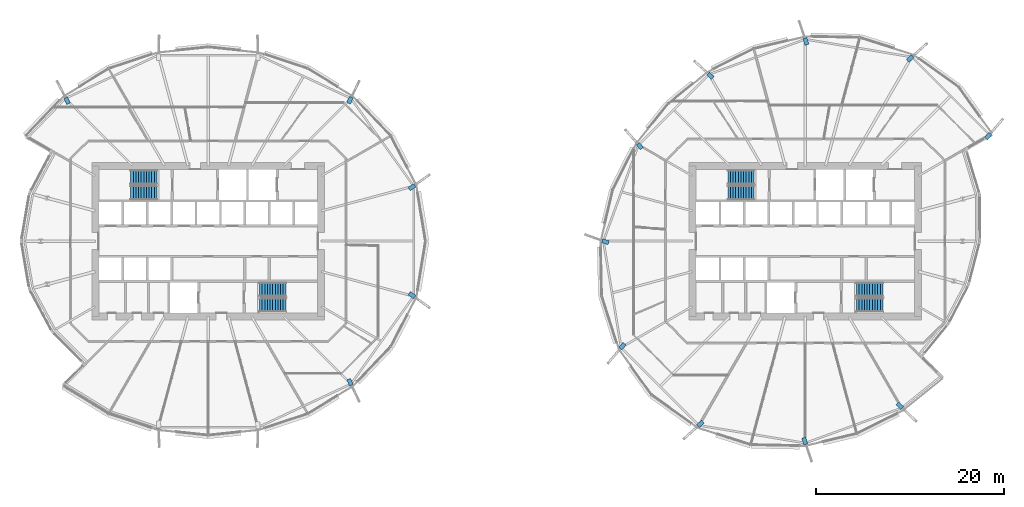
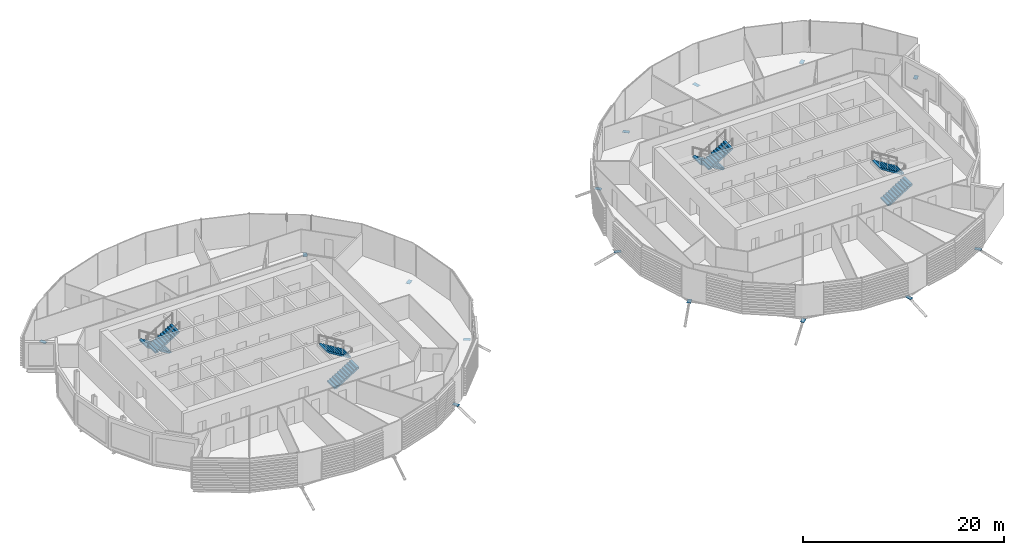
# One storey, part 26 of 38: 15 discrete accessories, 8 stair flights, 4 elements without a shape of their own.
"""IFC4 building model written with IfcOpenShell, lengths in metres."""

from ifc_helpers import new_model, si_unit, direction, frame, origin, origin_2d, place, context, subcontext, project, spatial, polyline, rectangle, outline, extrude, material, material_profile, profile_set, type_object, element, aggregate, save


model = new_model("IFC4")

# Units and contexts
model_context = context("Model", 3, precision=1e-05, world=origin(), true_north=direction((0.0, 1.0)))
body_context = subcontext(model_context, "Body", "Model", "MODEL_VIEW")
ifc_project = project(units=[si_unit("LENGTHUNIT", "METRE"), si_unit("AREAUNIT", "SQUARE_METRE"), si_unit("VOLUMEUNIT", "CUBIC_METRE"), si_unit("PLANEANGLEUNIT", "RADIAN"), si_unit("MASSUNIT", "GRAM", prefix="KILO")], contexts=[model_context])

# Site, building, storey
site_placement = place(None, origin())
site = spatial("IfcSite", under=ifc_project, at=site_placement, CompositionType="ELEMENT")
building_placement = place(site_placement, origin())
building = spatial("IfcBuilding", under=site, at=building_placement, Name="Rimbun Link Towers", CompositionType="ELEMENT")
storey_placement = place(building_placement, frame((0.0, 0.0, 119.60009765625)))
storey = spatial("IfcBuildingStorey", under=building, at=storey_placement, Name="L29", CompositionType="ELEMENT", Elevation=119.60009765625)

# Stair, stair flights
ifc_material_1 = material(Name="Concrete C40/50", Category="concrete")
stair_type = type_object("IfcStairType", Name="Exit stair 3800 rise", PredefinedType="HALF_TURN_STAIR", material=ifc_material_1)
stair_1_placement = place(storey_placement, origin())
stair_1 = element("IfcStair", 1, at=stair_1_placement, inside=storey, type_object=stair_type, Name="L29 EXIT STAIR A", PredefinedType="HALF_TURN_STAIR")
ifc_material_2 = material(Name="Concrete C40/50", Category="concrete")
stair_flight_type = type_object("IfcStairFlightType", Name="Exit stair flight 3800 rise", PredefinedType="STRAIGHT", material=ifc_material_2)
stair_flight_1_placement = place(storey_placement, frame((-37.199951171875, 6.800048828125, 0.0), z_axis=(0.0, 0.0, 1.0), x_axis=(-1.0, 0.0, 0.0)))
stair_flight_1 = element("IfcStairFlight", 2, at=stair_flight_1_placement, type_object=stair_flight_type, Name="ST1 flight 1", NumberOfRisers=11, NumberOfTreads=10, PredefinedType="STRAIGHT", RiserHeight=0.172727273, TreadLength=0.28, context=body_context, shape_type="SweptSolid", body=[
    extrude(outline(polyline([(0.0, 0.0), (0.0, 0.172607421875), (0.280029296875, 0.172607421875), (0.280029296875, 0.345458984375), (0.56005859375, 0.345458984375), (0.56005859375, 0.51806640625), (0.840087890625, 0.51806640625), (0.840087890625, 0.69091796875), (1.1201171875, 0.69091796875), (1.1201171875, 0.863525390625), (1.39990234375, 0.863525390625), (1.39990234375, 1.036376953125), (1.679931640625, 1.036376953125), (1.679931640625, 1.208984375), (1.9599609375, 1.208984375), (1.9599609375, 1.3818359375), (2.239990234375, 1.3818359375), (2.239990234375, 1.554443359375), (2.52001953125, 1.554443359375), (2.52001953125, 1.727294921875), (2.800048828125, 1.727294921875), (2.800048828125, 1.89990234375), (2.800048828125, 1.551025390625), (0.280029296875, 0.0), (0.0, 0.0)])), frame((0.0, 0.75, 0.0), z_axis=(0.0, -1.0, 0.0), x_axis=(1.0, 0.0, 0.0)), (0.0, 0.0, 1.0), 1.5),
])
stair_flight_2_placement = place(storey_placement, frame((-40.0, 5.14990234375, 1.89990234375), z_axis=(0.0, 0.0, 1.0), x_axis=(1.0, 0.0, 0.0)))
stair_flight_2 = element("IfcStairFlight", 3, at=stair_flight_2_placement, type_object=stair_flight_type, Name="ST1 flight 2", NumberOfRisers=11, NumberOfTreads=10, PredefinedType="STRAIGHT", RiserHeight=0.172727273, TreadLength=0.28, context=body_context, shape_type="SweptSolid", body=[
    extrude(outline(polyline([(0.0, 0.0), (0.0, 0.172607421875), (0.280029296875, 0.172607421875), (0.280029296875, 0.345458984375), (0.56005859375, 0.345458984375), (0.56005859375, 0.51806640625), (0.840087890625, 0.51806640625), (0.840087890625, 0.69091796875), (1.1201171875, 0.69091796875), (1.1201171875, 0.863525390625), (1.39990234375, 0.863525390625), (1.39990234375, 1.036376953125), (1.679931640625, 1.036376953125), (1.679931640625, 1.208984375), (1.9599609375, 1.208984375), (1.9599609375, 1.3818359375), (2.239990234375, 1.3818359375), (2.239990234375, 1.554443359375), (2.52001953125, 1.554443359375), (2.52001953125, 1.727294921875), (2.800048828125, 1.727294921875), (2.800048828125, 1.89990234375), (2.800048828125, 1.551025390625), (0.280029296875, 0.0), (0.0, 0.0)])), frame((0.0, 0.75, 0.0), z_axis=(0.0, -1.0, 0.0), x_axis=(1.0, 0.0, 0.0)), (0.0, 0.0, 1.0), 1.5),
])
aggregate(stair_1, [stair_flight_1, stair_flight_2])

stair_2_placement = place(storey_placement, origin())
stair_2 = element("IfcStair", 4, at=stair_2_placement, inside=storey, type_object=stair_type, Name="L29 EXIT STAIR B", PredefinedType="HALF_TURN_STAIR")
stair_flight_3_placement = place(storey_placement, frame((-26.300048828125, -6.800048828125, 0.0), z_axis=(0.0, 0.0, 1.0), x_axis=(1.0, 0.0, 0.0)))
stair_flight_3 = element("IfcStairFlight", 5, at=stair_flight_3_placement, type_object=stair_flight_type, Name="ST2 flight 1", NumberOfRisers=11, NumberOfTreads=10, PredefinedType="STRAIGHT", RiserHeight=0.172727273, TreadLength=0.28, context=body_context, shape_type="SweptSolid", body=[
    extrude(outline(polyline([(0.0, 0.0), (0.0, 0.172607421875), (0.280029296875, 0.172607421875), (0.280029296875, 0.345458984375), (0.56005859375, 0.345458984375), (0.56005859375, 0.51806640625), (0.840087890625, 0.51806640625), (0.840087890625, 0.69091796875), (1.1201171875, 0.69091796875), (1.1201171875, 0.863525390625), (1.39990234375, 0.863525390625), (1.39990234375, 1.036376953125), (1.679931640625, 1.036376953125), (1.679931640625, 1.208984375), (1.9599609375, 1.208984375), (1.9599609375, 1.3818359375), (2.239990234375, 1.3818359375), (2.239990234375, 1.554443359375), (2.52001953125, 1.554443359375), (2.52001953125, 1.727294921875), (2.800048828125, 1.727294921875), (2.800048828125, 1.89990234375), (2.800048828125, 1.551025390625), (0.280029296875, 0.0), (0.0, 0.0)])), frame((0.0, 0.75, 0.0), z_axis=(0.0, -1.0, 0.0), x_axis=(1.0, 0.0, 0.0)), (0.0, 0.0, 1.0), 1.5),
])
stair_flight_4_placement = place(storey_placement, frame((-23.5, -5.14990234375, 1.89990234375), z_axis=(0.0, 0.0, 1.0), x_axis=(-1.0, 0.0, 0.0)))
stair_flight_4 = element("IfcStairFlight", 6, at=stair_flight_4_placement, type_object=stair_flight_type, Name="ST2 flight 2", NumberOfRisers=11, NumberOfTreads=10, PredefinedType="STRAIGHT", RiserHeight=0.172727273, TreadLength=0.28, context=body_context, shape_type="SweptSolid", body=[
    extrude(outline(polyline([(0.0, 0.0), (0.0, 0.172607421875), (0.280029296875, 0.172607421875), (0.280029296875, 0.345458984375), (0.56005859375, 0.345458984375), (0.56005859375, 0.51806640625), (0.840087890625, 0.51806640625), (0.840087890625, 0.69091796875), (1.1201171875, 0.69091796875), (1.1201171875, 0.863525390625), (1.39990234375, 0.863525390625), (1.39990234375, 1.036376953125), (1.679931640625, 1.036376953125), (1.679931640625, 1.208984375), (1.9599609375, 1.208984375), (1.9599609375, 1.3818359375), (2.239990234375, 1.3818359375), (2.239990234375, 1.554443359375), (2.52001953125, 1.554443359375), (2.52001953125, 1.727294921875), (2.800048828125, 1.727294921875), (2.800048828125, 1.89990234375), (2.800048828125, 1.551025390625), (0.280029296875, 0.0), (0.0, 0.0)])), frame((0.0, 0.75, 0.0), z_axis=(0.0, -1.0, 0.0), x_axis=(1.0, 0.0, 0.0)), (0.0, 0.0, 1.0), 1.5),
])
aggregate(stair_2, [stair_flight_3, stair_flight_4])

stair_3_placement = place(storey_placement, origin())
stair_3 = element("IfcStair", 7, at=stair_3_placement, inside=storey, type_object=stair_type, Name="L29 EXIT STAIR A", PredefinedType="HALF_TURN_STAIR")
stair_flight_5_placement = place(storey_placement, frame((26.300048828125, 6.800048828125, 0.0), z_axis=(0.0, 0.0, 1.0), x_axis=(-1.0, 0.0, 0.0)))
stair_flight_5 = element("IfcStairFlight", 8, at=stair_flight_5_placement, type_object=stair_flight_type, Name="ST3 flight 1", NumberOfRisers=11, NumberOfTreads=10, PredefinedType="STRAIGHT", RiserHeight=0.172727273, TreadLength=0.28, context=body_context, shape_type="SweptSolid", body=[
    extrude(outline(polyline([(0.0, 0.0), (0.0, 0.172607421875), (0.280029296875, 0.172607421875), (0.280029296875, 0.345458984375), (0.56005859375, 0.345458984375), (0.56005859375, 0.51806640625), (0.840087890625, 0.51806640625), (0.840087890625, 0.69091796875), (1.1201171875, 0.69091796875), (1.1201171875, 0.863525390625), (1.39990234375, 0.863525390625), (1.39990234375, 1.036376953125), (1.679931640625, 1.036376953125), (1.679931640625, 1.208984375), (1.9599609375, 1.208984375), (1.9599609375, 1.3818359375), (2.239990234375, 1.3818359375), (2.239990234375, 1.554443359375), (2.52001953125, 1.554443359375), (2.52001953125, 1.727294921875), (2.800048828125, 1.727294921875), (2.800048828125, 1.89990234375), (2.800048828125, 1.551025390625), (0.280029296875, 0.0), (0.0, 0.0)])), frame((0.0, 0.75, 0.0), z_axis=(0.0, -1.0, 0.0), x_axis=(1.0, 0.0, 0.0)), (0.0, 0.0, 1.0), 1.5),
])
stair_flight_6_placement = place(storey_placement, frame((23.5, 5.14990234375, 1.89990234375), z_axis=(0.0, 0.0, 1.0), x_axis=(1.0, 0.0, 0.0)))
stair_flight_6 = element("IfcStairFlight", 9, at=stair_flight_6_placement, type_object=stair_flight_type, Name="ST3 flight 2", NumberOfRisers=11, NumberOfTreads=10, PredefinedType="STRAIGHT", RiserHeight=0.172727273, TreadLength=0.28, context=body_context, shape_type="SweptSolid", body=[
    extrude(outline(polyline([(0.0, 0.0), (0.0, 0.172607421875), (0.280029296875, 0.172607421875), (0.280029296875, 0.345458984375), (0.56005859375, 0.345458984375), (0.56005859375, 0.51806640625), (0.840087890625, 0.51806640625), (0.840087890625, 0.69091796875), (1.1201171875, 0.69091796875), (1.1201171875, 0.863525390625), (1.39990234375, 0.863525390625), (1.39990234375, 1.036376953125), (1.679931640625, 1.036376953125), (1.679931640625, 1.208984375), (1.9599609375, 1.208984375), (1.9599609375, 1.3818359375), (2.239990234375, 1.3818359375), (2.239990234375, 1.554443359375), (2.52001953125, 1.554443359375), (2.52001953125, 1.727294921875), (2.800048828125, 1.727294921875), (2.800048828125, 1.89990234375), (2.800048828125, 1.551025390625), (0.280029296875, 0.0), (0.0, 0.0)])), frame((0.0, 0.75, 0.0), z_axis=(0.0, -1.0, 0.0), x_axis=(1.0, 0.0, 0.0)), (0.0, 0.0, 1.0), 1.5),
])
aggregate(stair_3, [stair_flight_5, stair_flight_6])

stair_4_placement = place(storey_placement, origin())
stair_4 = element("IfcStair", 10, at=stair_4_placement, inside=storey, type_object=stair_type, Name="L29 EXIT STAIR B", PredefinedType="HALF_TURN_STAIR")
stair_flight_7_placement = place(storey_placement, frame((37.199951171875, -6.800048828125, 0.0), z_axis=(0.0, 0.0, 1.0), x_axis=(1.0, 0.0, 0.0)))
stair_flight_7 = element("IfcStairFlight", 11, at=stair_flight_7_placement, type_object=stair_flight_type, Name="ST4 flight 1", NumberOfRisers=11, NumberOfTreads=10, PredefinedType="STRAIGHT", RiserHeight=0.172727273, TreadLength=0.28, context=body_context, shape_type="SweptSolid", body=[
    extrude(outline(polyline([(0.0, 0.0), (0.0, 0.172607421875), (0.280029296875, 0.172607421875), (0.280029296875, 0.345458984375), (0.56005859375, 0.345458984375), (0.56005859375, 0.51806640625), (0.840087890625, 0.51806640625), (0.840087890625, 0.69091796875), (1.1201171875, 0.69091796875), (1.1201171875, 0.863525390625), (1.39990234375, 0.863525390625), (1.39990234375, 1.036376953125), (1.679931640625, 1.036376953125), (1.679931640625, 1.208984375), (1.9599609375, 1.208984375), (1.9599609375, 1.3818359375), (2.239990234375, 1.3818359375), (2.239990234375, 1.554443359375), (2.52001953125, 1.554443359375), (2.52001953125, 1.727294921875), (2.800048828125, 1.727294921875), (2.800048828125, 1.89990234375), (2.800048828125, 1.551025390625), (0.280029296875, 0.0), (0.0, 0.0)])), frame((0.0, 0.75, 0.0), z_axis=(0.0, -1.0, 0.0), x_axis=(1.0, 0.0, 0.0)), (0.0, 0.0, 1.0), 1.5),
])
stair_flight_8_placement = place(storey_placement, frame((40.0, -5.14990234375, 1.89990234375), z_axis=(0.0, 0.0, 1.0), x_axis=(-1.0, 0.0, 0.0)))
stair_flight_8 = element("IfcStairFlight", 12, at=stair_flight_8_placement, type_object=stair_flight_type, Name="ST4 flight 2", NumberOfRisers=11, NumberOfTreads=10, PredefinedType="STRAIGHT", RiserHeight=0.172727273, TreadLength=0.28, context=body_context, shape_type="SweptSolid", body=[
    extrude(outline(polyline([(0.0, 0.0), (0.0, 0.172607421875), (0.280029296875, 0.172607421875), (0.280029296875, 0.345458984375), (0.56005859375, 0.345458984375), (0.56005859375, 0.51806640625), (0.840087890625, 0.51806640625), (0.840087890625, 0.69091796875), (1.1201171875, 0.69091796875), (1.1201171875, 0.863525390625), (1.39990234375, 0.863525390625), (1.39990234375, 1.036376953125), (1.679931640625, 1.036376953125), (1.679931640625, 1.208984375), (1.9599609375, 1.208984375), (1.9599609375, 1.3818359375), (2.239990234375, 1.3818359375), (2.239990234375, 1.554443359375), (2.52001953125, 1.554443359375), (2.52001953125, 1.727294921875), (2.800048828125, 1.727294921875), (2.800048828125, 1.89990234375), (2.800048828125, 1.551025390625), (0.280029296875, 0.0), (0.0, 0.0)])), frame((0.0, 0.75, 0.0), z_axis=(0.0, -1.0, 0.0), x_axis=(1.0, 0.0, 0.0)), (0.0, 0.0, 1.0), 1.5),
])
aggregate(stair_4, [stair_flight_7, stair_flight_8])

# Discrete accessories
ifc_material_3 = material(Name="Steel S355J2H", Category="steel")
ifc_material_profile = material_profile(ifc_material_3, rectangle(XDim=0.43310546875, YDim=0.43310546875, at=origin_2d()), Name="PL 433x433")
ifc_profile_set = profile_set([ifc_material_profile], Name="Steel S355J2H")
discrete_accessory_type = type_object("IfcDiscreteAccessoryType", Name="Link head end plate 433X20", PredefinedType="BRACKET", material=ifc_profile_set)
discrete_accessory_1_placement = place(storey_placement, frame((0.0, 0.0, -0.713134765625)))
element("IfcDiscreteAccessory", 13, at=discrete_accessory_1_placement, inside=storey, type_object=discrete_accessory_type, Name="Link head end plate T1 L29 01", PredefinedType="BRACKET", context=body_context, shape_type="SweptSolid", body=[
    extrude(outline(polyline([(-10.2578125, 5.3564453125), (-9.67333984375, 5.771484375), (-9.92431640625, 6.12451171875), (-10.50830078125, 5.70947265625), (-10.2578125, 5.3564453125)])), origin(), (0.0, 0.0, 1.0), 0.02001953125),
])
discrete_accessory_2_placement = place(storey_placement, frame((0.0, 0.0, -0.713134765625)))
element("IfcDiscreteAccessory", 14, at=discrete_accessory_2_placement, inside=storey, type_object=discrete_accessory_type, Name="Link head end plate T1 L29 03", PredefinedType="BRACKET", context=body_context, shape_type="SweptSolid", body=[
    extrude(outline(polyline([(-16.634521484375, 14.576904296875), (-16.3271484375, 15.220703125), (-16.718017578125, 15.4072265625), (-17.025390625, 14.763427734375), (-16.634521484375, 14.576904296875)])), origin(), (0.0, 0.0, 1.0), 0.02001953125),
])
discrete_accessory_3_placement = place(storey_placement, frame((0.0, 0.0, -0.713134765625)))
element("IfcDiscreteAccessory", 15, at=discrete_accessory_3_placement, inside=storey, type_object=discrete_accessory_type, Name="Link head end plate T1 L29 09", PredefinedType="BRACKET", context=body_context, shape_type="SweptSolid", body=[
    extrude(outline(polyline([(-46.406005859375, 14.727783203125), (-46.727294921875, 15.34765625), (-47.11181640625, 15.1484375), (-46.790283203125, 14.528564453125), (-46.406005859375, 14.727783203125)])), origin(), (0.0, 0.0, 1.0), 0.02001953125),
])
discrete_accessory_4_placement = place(storey_placement, frame((0.0, 0.0, -0.713134765625)))
element("IfcDiscreteAccessory", 16, at=discrete_accessory_4_placement, inside=storey, type_object=discrete_accessory_type, Name="Link head end plate T1 L29 21", PredefinedType="BRACKET", context=body_context, shape_type="SweptSolid", body=[
    extrude(outline(polyline([(-17.025390625, -14.763427734375), (-16.718017578125, -15.4072265625), (-16.3271484375, -15.220703125), (-16.634521484375, -14.576904296875), (-17.025390625, -14.763427734375)])), origin(), (0.0, 0.0, 1.0), 0.02001953125),
])
discrete_accessory_5_placement = place(storey_placement, frame((0.0, 0.0, -0.713134765625)))
element("IfcDiscreteAccessory", 17, at=discrete_accessory_5_placement, inside=storey, type_object=discrete_accessory_type, Name="Link head end plate T1 L29 23", PredefinedType="BRACKET", context=body_context, shape_type="SweptSolid", body=[
    extrude(outline(polyline([(-10.50830078125, -5.70947265625), (-9.92431640625, -6.12451171875), (-9.67333984375, -5.771484375), (-10.2578125, -5.3564453125), (-10.50830078125, -5.70947265625)])), origin(), (0.0, 0.0, 1.0), 0.02001953125),
])
discrete_accessory_6_placement = place(storey_placement, frame((0.0, 0.0, -0.863525390625)))
element("IfcDiscreteAccessory", 18, at=discrete_accessory_6_placement, inside=storey, type_object=discrete_accessory_type, Name="Link head end plate T2 L29 01", PredefinedType="BRACKET", context=body_context, shape_type="SweptSolid", body=[
    extrude(outline(polyline([(42.77978515625, 19.025634765625), (43.316162109375, 19.50830078125), (43.026611328125, 19.830322265625), (42.489990234375, 19.347412109375), (42.77978515625, 19.025634765625)])), origin(), (0.0, 0.0, 1.0), 0.02001953125),
])
discrete_accessory_7_placement = place(storey_placement, frame((0.0, 0.0, -0.863525390625)))
element("IfcDiscreteAccessory", 19, at=discrete_accessory_7_placement, inside=storey, type_object=discrete_accessory_type, Name="Link head end plate T2 L29 03", PredefinedType="BRACKET", context=body_context, shape_type="SweptSolid", body=[
    extrude(outline(polyline([(32.131591796875, 20.966552734375), (31.897216796875, 21.665283203125), (31.48681640625, 21.527587890625), (31.720947265625, 20.828857421875), (32.131591796875, 20.966552734375)])), origin(), (0.0, 0.0, 1.0), 0.02001953125),
])
discrete_accessory_8_placement = place(storey_placement, frame((0.0, 0.0, -0.78271484375)))
element("IfcDiscreteAccessory", 20, at=discrete_accessory_8_placement, inside=storey, type_object=discrete_accessory_type, Name="Link head end plate T2 L29 05", PredefinedType="BRACKET", context=body_context, shape_type="SweptSolid", body=[
    extrude(outline(polyline([(22.0576171875, 17.5048828125), (21.54443359375, 17.98291015625), (21.249267578125, 17.666015625), (21.7626953125, 17.18798828125), (22.0576171875, 17.5048828125)])), origin(), (0.0, 0.0, 1.0), 0.02001953125),
])
discrete_accessory_9_placement = place(storey_placement, frame((0.0, 0.0, -0.53515625)))
element("IfcDiscreteAccessory", 21, at=discrete_accessory_9_placement, inside=storey, type_object=discrete_accessory_type, Name="Link head end plate T2 L29 07", PredefinedType="BRACKET", context=body_context, shape_type="SweptSolid", body=[
    extrude(outline(polyline([(14.53515625, 9.998046875), (14.090087890625, 10.500732421875), (13.76611328125, 10.2138671875), (14.2109375, 9.711181640625), (14.53515625, 9.998046875)])), origin(), (0.0, 0.0, 1.0), 0.02001953125),
])
discrete_accessory_10_placement = place(storey_placement, frame((0.0, 0.0, -0.713134765625)))
element("IfcDiscreteAccessory", 22, at=discrete_accessory_10_placement, inside=storey, type_object=discrete_accessory_type, Name="Link head end plate T2 L29 09", PredefinedType="BRACKET", context=body_context, shape_type="SweptSolid", body=[
    extrude(outline(polyline([(10.898681640625, 0.02734375), (10.22607421875, 0.265380859375), (10.081787109375, -0.14306640625), (10.75439453125, -0.380859375), (10.898681640625, 0.02734375)])), origin(), (0.0, 0.0, 1.0), 0.02001953125),
])
discrete_accessory_11_placement = place(storey_placement, frame((0.0, 0.0, -0.633544921875)))
element("IfcDiscreteAccessory", 23, at=discrete_accessory_11_placement, inside=storey, type_object=discrete_accessory_type, Name="Link head end plate T2 L29 11", PredefinedType="BRACKET", context=body_context, shape_type="SweptSolid", body=[
    extrude(outline(polyline([(12.36865234375, -10.7587890625), (11.9189453125, -11.284423828125), (12.247802734375, -11.56591796875), (12.69775390625, -11.040283203125), (12.36865234375, -10.7587890625)])), origin(), (0.0, 0.0, 1.0), 0.02001953125),
])
discrete_accessory_12_placement = place(storey_placement, frame((0.0, 0.0, -0.863525390625)))
element("IfcDiscreteAccessory", 24, at=discrete_accessory_12_placement, inside=storey, type_object=discrete_accessory_type, Name="Link head end plate T2 L29 13", PredefinedType="BRACKET", context=body_context, shape_type="SweptSolid", body=[
    extrude(outline(polyline([(20.72021484375, -19.025634765625), (20.183837890625, -19.50830078125), (20.473388671875, -19.830322265625), (21.010009765625, -19.347412109375), (20.72021484375, -19.025634765625)])), origin(), (0.0, 0.0, 1.0), 0.02001953125),
])
discrete_accessory_13_placement = place(storey_placement, frame((0.0, 0.0, -0.863525390625)))
element("IfcDiscreteAccessory", 25, at=discrete_accessory_13_placement, inside=storey, type_object=discrete_accessory_type, Name="Link head end plate T2 L29 15", PredefinedType="BRACKET", context=body_context, shape_type="SweptSolid", body=[
    extrude(outline(polyline([(31.368408203125, -20.966552734375), (31.602783203125, -21.665283203125), (32.01318359375, -21.527587890625), (31.779052734375, -20.828857421875), (31.368408203125, -20.966552734375)])), origin(), (0.0, 0.0, 1.0), 0.02001953125),
])
discrete_accessory_14_placement = place(storey_placement, frame((0.0, 0.0, -0.78271484375)))
element("IfcDiscreteAccessory", 26, at=discrete_accessory_14_placement, inside=storey, type_object=discrete_accessory_type, Name="Link head end plate T2 L29 17", PredefinedType="BRACKET", context=body_context, shape_type="SweptSolid", body=[
    extrude(outline(polyline([(41.387939453125, -17.410400390625), (41.90673828125, -17.9033203125), (42.205078125, -17.589599609375), (41.686279296875, -17.096435546875), (41.387939453125, -17.410400390625)])), origin(), (0.0, 0.0, 1.0), 0.02001953125),
])
discrete_accessory_15_placement = place(storey_placement, frame((0.0, 0.0, -0.633544921875)))
element("IfcDiscreteAccessory", 27, at=discrete_accessory_15_placement, inside=storey, type_object=discrete_accessory_type, Name="Link head end plate T2 L29 23", PredefinedType="BRACKET", context=body_context, shape_type="SweptSolid", body=[
    extrude(outline(polyline([(51.13134765625, 10.7587890625), (51.5810546875, 11.284423828125), (51.252197265625, 11.56591796875), (50.80224609375, 11.040283203125), (51.13134765625, 10.7587890625)])), origin(), (0.0, 0.0, 1.0), 0.02001953125),
])

save(model, "model.ifc")
